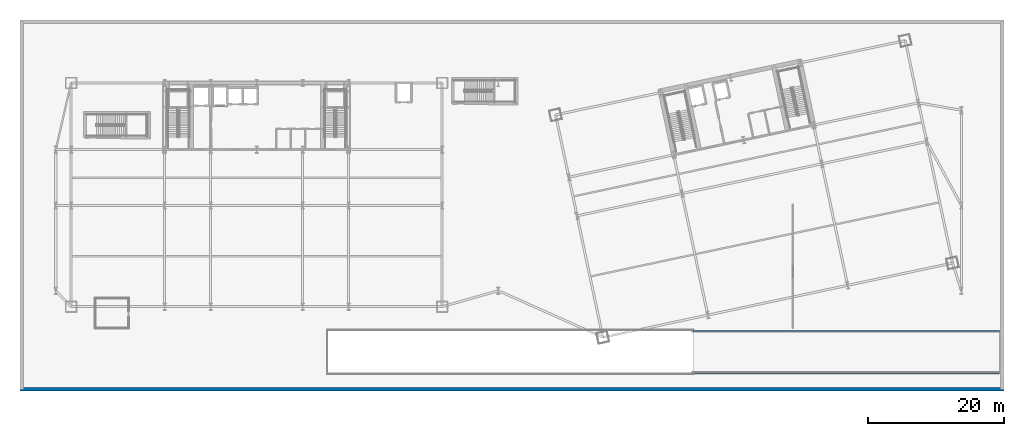
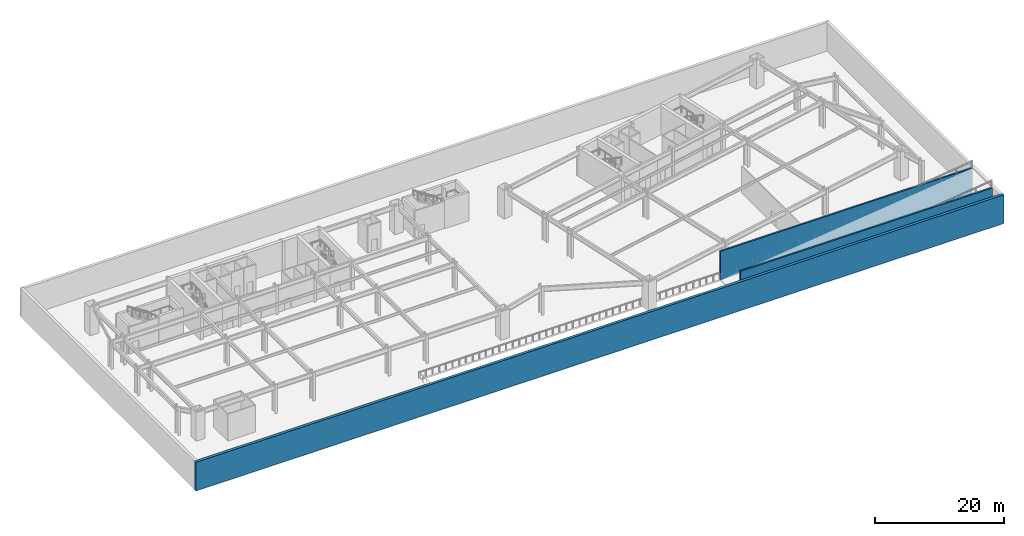
# One storey, part 7 of 16: 3 walls.
"""IFC4 building model written with IfcOpenShell, lengths in metres."""

from ifc_helpers import new_model, si_unit, direction, frame, frame_2d, origin, place, context, subcontext, project, spatial, rectangle, extrude, material, layer, layer_set, type_object, element, save


model = new_model("IFC4")

# Units and contexts
model_context = context("Model", 3, precision=1e-05, world=origin(), true_north=direction((0.0, 1.0)))
body_context = subcontext(model_context, "Body", "Model", "MODEL_VIEW")
ifc_project = project(units=[si_unit("LENGTHUNIT", "METRE"), si_unit("AREAUNIT", "SQUARE_METRE"), si_unit("VOLUMEUNIT", "CUBIC_METRE"), si_unit("PLANEANGLEUNIT", "RADIAN"), si_unit("MASSUNIT", "GRAM", prefix="KILO")], contexts=[model_context])

# Site, building, storey
site_placement = place(None, origin())
site = spatial("IfcSite", under=ifc_project, at=site_placement, CompositionType="ELEMENT")
building_placement = place(site_placement, origin())
building = spatial("IfcBuilding", under=site, at=building_placement, Name="Haevon Station Towers", CompositionType="ELEMENT")
storey_placement = place(building_placement, frame((0.0, 0.0, -5.39990234375)))
storey = spatial("IfcBuildingStorey", under=building, at=storey_placement, Name="B01", CompositionType="ELEMENT", Elevation=-5.39990234375)

# Walls
ifc_material = material(Name="Concrete C50/60", Category="concrete")
ifc_layer = layer(ifc_material, 0.5)
ifc_layer_set = layer_set([ifc_layer], Name="Concrete C50/60")
wall_type = type_object("IfcWallType", Name="WL-RET500", PredefinedType="SOLIDWALL", material=ifc_layer_set)
wall_placement = place(storey_placement, frame((2.75, 3.0, 0.0), z_axis=(0.0, 0.0, 1.0), x_axis=(1.0, 0.0, 0.0)))
element("IfcWall", 1, at=wall_placement, inside=storey, type_object=wall_type, Name="WL-RET-B01-S", PredefinedType="SOLIDWALL", context=body_context, shape_type="SweptSolid", body=[
    extrude(rectangle(XDim=144.5, YDim=0.5, at=frame_2d((72.25, 0.0))), origin(), (0.0, 0.0, 1.0), 5.39990234375),
])
for number, where, z_axis, x_axis, name in (
    (2, (101.60009765625, 11.60009765625, 0.0), (0.0, 0.0, 1.0), (1.0, 0.0, 0.0), "B01 Vehicle Ramp R1 Structural Support Wall"),
    (3, (101.60009765625, 5.39990234375, 0.0), (0.0, 0.0, 1.0), (1.0, 0.0, 0.0), "B01 Vehicle Ramp R1 Structural Support Wall"),
):
    element("IfcWall", number, at=place(storey_placement, frame(where, z_axis=z_axis, x_axis=x_axis)), inside=storey, type_object=wall_type, Name=name, PredefinedType="SOLIDWALL", context=body_context, shape_type="SweptSolid", body=[
        extrude(rectangle(XDim=45.0, YDim=0.300048828125, at=frame_2d((22.5, 0.0))), origin(), (0.0, 0.0, 1.0), 5.39990234375),
    ])

save(model, "model.ifc")
